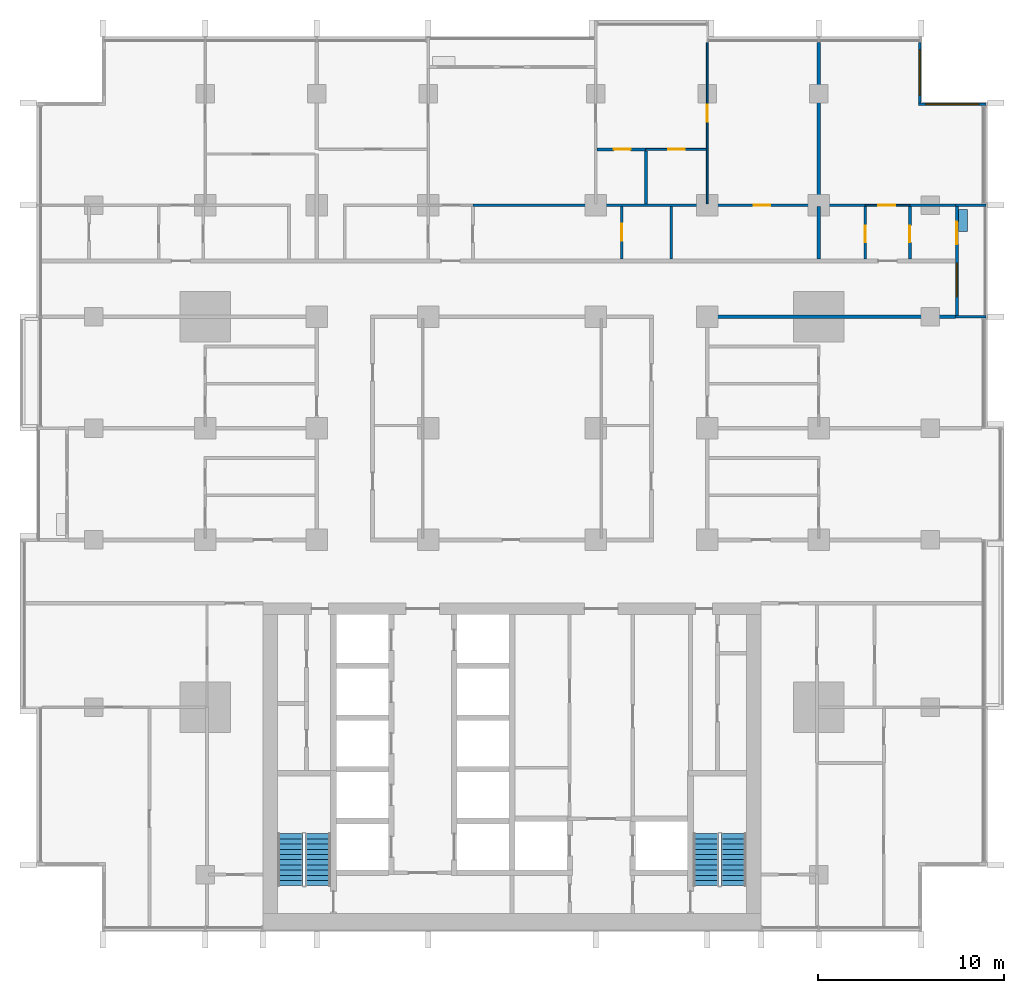
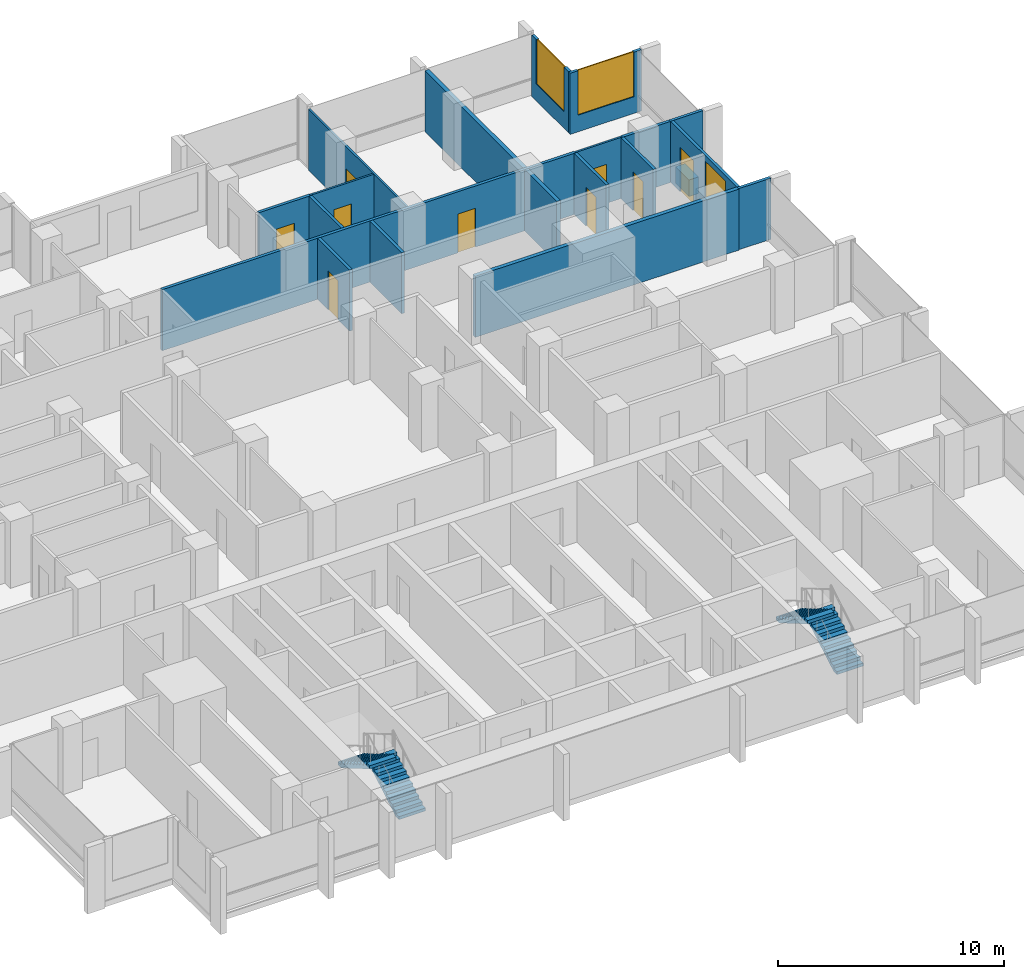
# One storey, part 12 of 17: 20 walls, 9 doors, 4 stair flights, 3 windows, 12 openings, 2 elements without a shape of their own.
"""IFC4 building model written with IfcOpenShell, lengths in metres."""

from ifc_helpers import new_model, si_unit, direction, frame, frame_2d, origin, place, context, subcontext, project, spatial, polyline, rectangle, outline, extrude, material, layer, layer_set, type_object, element, fill, aggregate, save


model = new_model("IFC4")

# Units and contexts
model_context = context("Model", 3, precision=1e-05, world=origin(), true_north=direction((0.0, 1.0)))
body_context = subcontext(model_context, "Body", "Model", "MODEL_VIEW")
ifc_project = project(units=[si_unit("LENGTHUNIT", "METRE"), si_unit("AREAUNIT", "SQUARE_METRE"), si_unit("VOLUMEUNIT", "CUBIC_METRE"), si_unit("PLANEANGLEUNIT", "RADIAN"), si_unit("MASSUNIT", "GRAM", prefix="KILO")], contexts=[model_context])

# Site, building, storey
site_placement = place(None, origin())
site = spatial("IfcSite", under=ifc_project, at=site_placement, CompositionType="ELEMENT")
building_placement = place(site_placement, origin())
building = spatial("IfcBuilding", under=site, at=building_placement, Name="Finial Court Residences", CompositionType="ELEMENT")
storey_placement = place(building_placement, frame((0.0, 0.0, 99.10009765625)))
storey = spatial("IfcBuildingStorey", under=building, at=storey_placement, Name="L24", CompositionType="ELEMENT", Elevation=99.10009765625)

# Walls
ifc_material_1 = material(Name="Gypsum board")
ifc_layer_1 = layer(ifc_material_1, 0.02490234375)
ifc_material_2 = material(Name="Acoustic mineral wool in double frame")
ifc_layer_2 = layer(ifc_material_2, 0.14990234375)
ifc_layer_3 = layer(ifc_material_1, 0.02490234375)
ifc_layer_set_1 = layer_set([ifc_layer_1, ifc_layer_2, ifc_layer_3], Name="Acoustic party wall 200, 1 hour")
wall_type_1 = type_object("IfcWallType", Name="Acoustic party wall 200, 1 hour", PredefinedType="PARTITIONING", material=ifc_layer_set_1)
wall_1_placement = place(storey_placement, frame((16.5, 10.60009765625, 0.0), z_axis=(0.0, 0.0, 1.0), x_axis=(0.0, 1.0, 0.0)))
element("IfcWall", 1, at=wall_1_placement, inside=storey, type_object=wall_type_1, Name="Partition L24-076", PredefinedType="PARTITIONING", context=body_context, shape_type="SweptSolid", body=[
    extrude(rectangle(XDim=2.824951171875, YDim=0.199951171875, at=frame_2d((1.41259765625, 0.0))), origin(), (0.0, 0.0, 1.0), 3.2998046875),
])
wall_2_placement = place(storey_placement, frame((16.5, 13.574951171875, 0.0), z_axis=(0.0, 0.0, 1.0), x_axis=(0.0, 1.0, 0.0)))
element("IfcWall", 2, at=wall_2_placement, inside=storey, type_object=wall_type_1, Name="Partition L24-077", PredefinedType="PARTITIONING", context=body_context, shape_type="SweptSolid", body=[
    extrude(rectangle(XDim=8.675048828125, YDim=0.199951171875, at=frame_2d((4.33740234375, 0.0))), origin(), (0.0, 0.0, 1.0), 3.2998046875),
])
ifc_layer_4 = layer(ifc_material_1, 0.02490234375)
ifc_layer_5 = layer(ifc_material_2, 0.14990234375)
ifc_layer_6 = layer(ifc_material_1, 0.02490234375)
ifc_layer_set_2 = layer_set([ifc_layer_4, ifc_layer_5, ifc_layer_6], Name="Corridor wall 200, 1 hour")
wall_type_2 = type_object("IfcWallType", Name="Corridor wall 200, 1 hour", PredefinedType="PARTITIONING", material=ifc_layer_set_2)
wall_3_placement = place(storey_placement, frame((10.39990234375, 7.5, 0.0), z_axis=(0.0, 0.0, 1.0), x_axis=(1.0, 0.0, 0.0)))
element("IfcWall", 3, at=wall_3_placement, inside=storey, type_object=wall_type_2, Name="Partition L24-026", PredefinedType="PARTITIONING", context=body_context, shape_type="SweptSolid", body=[
    extrude(rectangle(XDim=13.4501953125, YDim=0.199951171875, at=frame_2d((6.72509765625, 0.0))), origin(), (0.0, 0.0, 1.0), 3.2998046875),
])

# Wall, opening, door
ifc_layer_7 = layer(ifc_material_1, 0.012451171875)
ifc_material_3 = material(Name="Mineral wool in light-gauge frame")
ifc_layer_8 = layer(ifc_material_3, 0.074951171875)
ifc_layer_9 = layer(ifc_material_1, 0.012451171875)
ifc_layer_set_3 = layer_set([ifc_layer_7, ifc_layer_8, ifc_layer_9], Name="Gypsum board partition 100")
wall_type_3 = type_object("IfcWallType", Name="Gypsum board partition 100", PredefinedType="PARTITIONING", material=ifc_layer_set_3)
wall_4_placement = place(storey_placement, frame((19.0, 13.5, 0.0), z_axis=(0.0, 0.0, 1.0), x_axis=(1.0, 0.0, 0.0)))
wall_4 = element("IfcWall", 4, at=wall_4_placement, inside=storey, type_object=wall_type_3, Name="Partition L24-031", PredefinedType="PARTITIONING", context=body_context, shape_type="SweptSolid", body=[
    extrude(rectangle(XDim=2.39990234375, YDim=0.10009765625, at=frame_2d((1.199951171875, 0.0))), origin(), (0.0, 0.0, 1.0), 3.2998046875),
])
opening_1_placement = place(wall_4_placement, frame((0.699951171875, 0.0, 0.0)))
opening_1 = element("IfcOpeningElement", 5, at=opening_1_placement, cuts=wall_4, Name="Opening L24-D015", PredefinedType="OPENING", context=body_context, shape_type="SweptSolid", body=[
    extrude(rectangle(XDim=0.89990234375, YDim=2.10009765625, at=frame_2d((0.449951171875, 1.050048828125))), frame((0.0, 0.06005859375, 0.0), z_axis=(0.0, -1.0, 0.0), x_axis=(1.0, 0.0, 0.0)), (0.0, 0.0, 1.0), 0.1201171875),
])
ifc_material_4 = material(Name="Timber door leaf in timber frame", Category="wood")
door_type_1 = type_object("IfcDoorType", Name="Door set 900 x 2100", OperationType="SINGLE_SWING_LEFT", PredefinedType="DOOR", material=ifc_material_4)
door_1_placement = place(opening_1_placement, origin())
door_1 = element("IfcDoor", 6, at=door_1_placement, inside=storey, type_object=door_type_1, Name="Door L24-D015", OperationType="SINGLE_SWING_LEFT", OverallHeight=2.10009765625, OverallWidth=0.89990234375, PredefinedType="DOOR", context=body_context, shape_type="SweptSolid", body=[
    extrude(rectangle(XDim=0.89990234375, YDim=2.10009765625, at=frame_2d((0.449951171875, 1.050048828125))), frame((0.0, 0.02490234375, 0.0), z_axis=(0.0, -1.0, 0.0), x_axis=(1.0, 0.0, 0.0)), (0.0, 0.0, 1.0), 0.050048828125),
])
fill(opening_1, door_1)

wall_5_placement = place(storey_placement, frame((7.199951171875, 16.5, 0.0), z_axis=(0.0, 0.0, 1.0), x_axis=(1.0, 0.0, 0.0)))
wall_5 = element("IfcWall", 7, at=wall_5_placement, inside=storey, type_object=wall_type_3, Name="Partition L24-039", PredefinedType="PARTITIONING", context=body_context, shape_type="SweptSolid", body=[
    extrude(rectangle(XDim=3.25, YDim=0.10009765625, at=frame_2d((1.625, 0.0))), origin(), (0.0, 0.0, 1.0), 3.2998046875),
])
opening_2_placement = place(wall_5_placement, frame((1.199951171875, 0.0, 0.0)))
opening_2 = element("IfcOpeningElement", 8, at=opening_2_placement, cuts=wall_5, Name="Opening L24-D019", PredefinedType="OPENING", context=body_context, shape_type="SweptSolid", body=[
    extrude(rectangle(XDim=0.89990234375, YDim=2.10009765625, at=frame_2d((0.449951171875, 1.050048828125))), frame((0.0, 0.06005859375, 0.0), z_axis=(0.0, -1.0, 0.0), x_axis=(1.0, 0.0, 0.0)), (0.0, 0.0, 1.0), 0.1201171875),
])
door_2_placement = place(opening_2_placement, origin())
door_2 = element("IfcDoor", 9, at=door_2_placement, inside=storey, type_object=door_type_1, Name="Door L24-D019", OperationType="SINGLE_SWING_RIGHT", OverallHeight=2.10009765625, OverallWidth=0.89990234375, PredefinedType="DOOR", context=body_context, shape_type="SweptSolid", body=[
    extrude(rectangle(XDim=0.89990234375, YDim=2.10009765625, at=frame_2d((0.449951171875, 1.050048828125))), frame((0.0, 0.02490234375, 0.0), z_axis=(0.0, -1.0, 0.0), x_axis=(1.0, 0.0, 0.0)), (0.0, 0.0, 1.0), 0.050048828125),
])
fill(opening_2, door_2)

wall_6_placement = place(storey_placement, frame((10.5, 13.574951171875, 0.0), z_axis=(0.0, 0.0, 1.0), x_axis=(0.0, 1.0, 0.0)))
wall_6 = element("IfcWall", 10, at=wall_6_placement, inside=storey, type_object=wall_type_3, Name="Partition L24-070", PredefinedType="PARTITIONING", context=body_context, shape_type="SweptSolid", body=[
    extrude(rectangle(XDim=8.675048828125, YDim=0.10009765625, at=frame_2d((4.33740234375, 0.0))), origin(), (0.0, 0.0, 1.0), 3.2998046875),
])
opening_3_placement = place(wall_6_placement, frame((4.425048828125, 0.0, 0.0)))
opening_3 = element("IfcOpeningElement", 11, at=opening_3_placement, cuts=wall_6, Name="Opening L24-D042", PredefinedType="OPENING", context=body_context, shape_type="SweptSolid", body=[
    extrude(rectangle(XDim=0.89990234375, YDim=2.10009765625, at=frame_2d((0.449951171875, 1.050048828125))), frame((0.0, 0.06005859375, 0.0), z_axis=(0.0, -1.0, 0.0), x_axis=(1.0, 0.0, 0.0)), (0.0, 0.0, 1.0), 0.1201171875),
])
door_3_placement = place(opening_3_placement, origin())
door_3 = element("IfcDoor", 12, at=door_3_placement, inside=storey, type_object=door_type_1, Name="Door L24-D042", OperationType="SINGLE_SWING_RIGHT", OverallHeight=2.10009765625, OverallWidth=0.89990234375, PredefinedType="DOOR", context=body_context, shape_type="SweptSolid", body=[
    extrude(rectangle(XDim=0.89990234375, YDim=2.10009765625, at=frame_2d((0.449951171875, 1.050048828125))), frame((0.0, 0.02490234375, 0.0), z_axis=(0.0, -1.0, 0.0), x_axis=(1.0, 0.0, 0.0)), (0.0, 0.0, 1.0), 0.050048828125),
])
fill(opening_3, door_3)

ifc_material_5 = material(Name="Moisture-resistant gypsum board")
ifc_layer_10 = layer(ifc_material_5, 0.012451171875)
ifc_layer_11 = layer(ifc_material_3, 0.125)
ifc_layer_12 = layer(ifc_material_5, 0.012451171875)
ifc_layer_set_4 = layer_set([ifc_layer_10, ifc_layer_11, ifc_layer_12], Name="Gypsum board wet-area partition 150")
wall_type_4 = type_object("IfcWallType", Name="Gypsum board wet-area partition 150", PredefinedType="PARTITIONING", material=ifc_layer_set_4)
wall_7_placement = place(storey_placement, frame((-2.10009765625, 13.5, 0.0), z_axis=(0.0, 0.0, 1.0), x_axis=(1.0, 0.0, 0.0)))
wall_7 = element("IfcWall", 13, at=wall_7_placement, inside=storey, type_object=wall_type_4, Name="Partition L24-035", PredefinedType="PARTITIONING", context=body_context, shape_type="SweptSolid", body=[
    extrude(rectangle(XDim=21.10009765625, YDim=0.14990234375, at=frame_2d((10.550048828125, 0.0))), origin(), (0.0, 0.0, 1.0), 3.2998046875),
])
opening_4_placement = place(wall_7_placement, frame((15.10009765625, 0.0, 0.0)))
opening_4 = element("IfcOpeningElement", 14, at=opening_4_placement, cuts=wall_7, Name="Opening L24-D016", PredefinedType="OPENING", context=body_context, shape_type="SweptSolid", body=[
    extrude(rectangle(XDim=0.89990234375, YDim=2.10009765625, at=frame_2d((0.449951171875, 1.050048828125))), frame((0.0, 0.0849609375, 0.0), z_axis=(0.0, -1.0, 0.0), x_axis=(1.0, 0.0, 0.0)), (0.0, 0.0, 1.0), 0.169921875),
])
door_4_placement = place(opening_4_placement, origin())
door_4 = element("IfcDoor", 15, at=door_4_placement, inside=storey, type_object=door_type_1, Name="Door L24-D016", OperationType="SINGLE_SWING_RIGHT", OverallHeight=2.10009765625, OverallWidth=0.89990234375, PredefinedType="DOOR", context=body_context, shape_type="SweptSolid", body=[
    extrude(rectangle(XDim=0.89990234375, YDim=2.10009765625, at=frame_2d((0.449951171875, 1.050048828125))), frame((0.0, 0.02490234375, 0.0), z_axis=(0.0, -1.0, 0.0), x_axis=(1.0, 0.0, 0.0)), (0.0, 0.0, 1.0), 0.050048828125),
])
fill(opening_4, door_4)

# Wall
wall_8_placement = place(storey_placement, frame((21.39990234375, 13.5, 0.0), z_axis=(0.0, 0.0, 1.0), x_axis=(1.0, 0.0, 0.0)))
element("IfcWall", 16, at=wall_8_placement, inside=storey, type_object=wall_type_4, Name="Partition L24-036", PredefinedType="PARTITIONING", context=body_context, shape_type="SweptSolid", body=[
    extrude(rectangle(XDim=2.4501953125, YDim=0.14990234375, at=frame_2d((1.22509765625, 0.0))), origin(), (0.0, 0.0, 1.0), 3.2998046875),
])

# Wall, opening, door
wall_9_placement = place(storey_placement, frame((4.574951171875, 16.5, 0.0), z_axis=(0.0, 0.0, 1.0), x_axis=(1.0, 0.0, 0.0)))
wall_9 = element("IfcWall", 17, at=wall_9_placement, inside=storey, type_object=wall_type_4, Name="Partition L24-040", PredefinedType="PARTITIONING", context=body_context, shape_type="SweptSolid", body=[
    extrude(rectangle(XDim=2.625, YDim=0.14990234375, at=frame_2d((1.3125, 0.0))), origin(), (0.0, 0.0, 1.0), 3.2998046875),
])
opening_5_placement = place(wall_9_placement, frame((0.89990234375, 0.0, 0.0)))
opening_5 = element("IfcOpeningElement", 18, at=opening_5_placement, cuts=wall_9, Name="Opening L24-D020", PredefinedType="OPENING", context=body_context, shape_type="SweptSolid", body=[
    extrude(rectangle(XDim=0.89990234375, YDim=2.10009765625, at=frame_2d((0.449951171875, 1.050048828125))), frame((0.0, 0.0849609375, 0.0), z_axis=(0.0, -1.0, 0.0), x_axis=(1.0, 0.0, 0.0)), (0.0, 0.0, 1.0), 0.169921875),
])
door_5_placement = place(opening_5_placement, origin())
door_5 = element("IfcDoor", 19, at=door_5_placement, inside=storey, type_object=door_type_1, Name="Door L24-D020", OperationType="SINGLE_SWING_RIGHT", OverallHeight=2.10009765625, OverallWidth=0.89990234375, PredefinedType="DOOR", context=body_context, shape_type="SweptSolid", body=[
    extrude(rectangle(XDim=0.89990234375, YDim=2.10009765625, at=frame_2d((0.449951171875, 1.050048828125))), frame((0.0, 0.02490234375, 0.0), z_axis=(0.0, -1.0, 0.0), x_axis=(1.0, 0.0, 0.0)), (0.0, 0.0, 1.0), 0.050048828125),
])
fill(opening_5, door_5)

wall_10_placement = place(storey_placement, frame((5.89990234375, 10.60009765625, 0.0), z_axis=(0.0, 0.0, 1.0), x_axis=(0.0, 1.0, 0.0)))
wall_10 = element("IfcWall", 20, at=wall_10_placement, inside=storey, type_object=wall_type_4, Name="Partition L24-065", PredefinedType="PARTITIONING", context=body_context, shape_type="SweptSolid", body=[
    extrude(rectangle(XDim=2.824951171875, YDim=0.14990234375, at=frame_2d((1.41259765625, 0.0))), origin(), (0.0, 0.0, 1.0), 3.2998046875),
])
opening_6_placement = place(wall_10_placement, frame((1.0, 0.0, 0.0)))
opening_6 = element("IfcOpeningElement", 21, at=opening_6_placement, cuts=wall_10, Name="Opening L24-D038", PredefinedType="OPENING", context=body_context, shape_type="SweptSolid", body=[
    extrude(rectangle(XDim=0.89990234375, YDim=2.10009765625, at=frame_2d((0.449951171875, 1.050048828125))), frame((0.0, 0.0849609375, 0.0), z_axis=(0.0, -1.0, 0.0), x_axis=(1.0, 0.0, 0.0)), (0.0, 0.0, 1.0), 0.169921875),
])
door_6_placement = place(opening_6_placement, origin())
door_6 = element("IfcDoor", 22, at=door_6_placement, inside=storey, type_object=door_type_1, Name="Door L24-D038", OperationType="SINGLE_SWING_RIGHT", OverallHeight=2.10009765625, OverallWidth=0.89990234375, PredefinedType="DOOR", context=body_context, shape_type="SweptSolid", body=[
    extrude(rectangle(XDim=0.89990234375, YDim=2.10009765625, at=frame_2d((0.449951171875, 1.050048828125))), frame((0.0, 0.02490234375, 0.0), z_axis=(0.0, -1.0, 0.0), x_axis=(1.0, 0.0, 0.0)), (0.0, 0.0, 1.0), 0.050048828125),
])
fill(opening_6, door_6)

# Walls
wall_11_placement = place(storey_placement, frame((7.199951171875, 13.574951171875, 0.0), z_axis=(0.0, 0.0, 1.0), x_axis=(0.0, 1.0, 0.0)))
element("IfcWall", 23, at=wall_11_placement, inside=storey, type_object=wall_type_4, Name="Partition L24-066", PredefinedType="PARTITIONING", context=body_context, shape_type="SweptSolid", body=[
    extrude(rectangle(XDim=2.85009765625, YDim=0.14990234375, at=frame_2d((1.425048828125, 0.0))), origin(), (0.0, 0.0, 1.0), 3.2998046875),
])
wall_12_placement = place(storey_placement, frame((8.56689453125, 10.60009765625, 0.0), z_axis=(0.0, 0.0, 1.0), x_axis=(0.0, 1.0, 0.0)))
element("IfcWall", 24, at=wall_12_placement, inside=storey, type_object=wall_type_4, Name="Partition L24-068", PredefinedType="PARTITIONING", context=body_context, shape_type="SweptSolid", body=[
    extrude(rectangle(XDim=2.824951171875, YDim=0.14990234375, at=frame_2d((1.41259765625, 0.0))), origin(), (0.0, 0.0, 1.0), 3.2998046875),
])

# Wall, opening, door
wall_13_placement = place(storey_placement, frame((19.0, 10.60009765625, 0.0), z_axis=(0.0, 0.0, 1.0), x_axis=(0.0, 1.0, 0.0)))
wall_13 = element("IfcWall", 25, at=wall_13_placement, inside=storey, type_object=wall_type_4, Name="Partition L24-080", PredefinedType="PARTITIONING", context=body_context, shape_type="SweptSolid", body=[
    extrude(rectangle(XDim=2.824951171875, YDim=0.14990234375, at=frame_2d((1.41259765625, 0.0))), origin(), (0.0, 0.0, 1.0), 3.2998046875),
])
opening_7_placement = place(wall_13_placement, frame((0.89990234375, 0.0, 0.0)))
opening_7 = element("IfcOpeningElement", 26, at=opening_7_placement, cuts=wall_13, Name="Opening L24-D048", PredefinedType="OPENING", context=body_context, shape_type="SweptSolid", body=[
    extrude(rectangle(XDim=0.89990234375, YDim=2.10009765625, at=frame_2d((0.449951171875, 1.050048828125))), frame((0.0, 0.0849609375, 0.0), z_axis=(0.0, -1.0, 0.0), x_axis=(1.0, 0.0, 0.0)), (0.0, 0.0, 1.0), 0.169921875),
])
door_7_placement = place(opening_7_placement, origin())
door_7 = element("IfcDoor", 27, at=door_7_placement, inside=storey, type_object=door_type_1, Name="Door L24-D048", OperationType="SINGLE_SWING_LEFT", OverallHeight=2.10009765625, OverallWidth=0.89990234375, PredefinedType="DOOR", context=body_context, shape_type="SweptSolid", body=[
    extrude(rectangle(XDim=0.89990234375, YDim=2.10009765625, at=frame_2d((0.449951171875, 1.050048828125))), frame((0.0, 0.02490234375, 0.0), z_axis=(0.0, -1.0, 0.0), x_axis=(1.0, 0.0, 0.0)), (0.0, 0.0, 1.0), 0.050048828125),
])
fill(opening_7, door_7)

wall_14_placement = place(storey_placement, frame((21.39990234375, 10.60009765625, 0.0), z_axis=(0.0, 0.0, 1.0), x_axis=(0.0, 1.0, 0.0)))
wall_14 = element("IfcWall", 28, at=wall_14_placement, inside=storey, type_object=wall_type_4, Name="Partition L24-084", PredefinedType="PARTITIONING", context=body_context, shape_type="SweptSolid", body=[
    extrude(rectangle(XDim=2.824951171875, YDim=0.14990234375, at=frame_2d((1.41259765625, 0.0))), origin(), (0.0, 0.0, 1.0), 3.2998046875),
])
opening_8_placement = place(wall_14_placement, frame((0.89990234375, 0.0, 0.0)))
opening_8 = element("IfcOpeningElement", 29, at=opening_8_placement, cuts=wall_14, Name="Opening L24-D052", PredefinedType="OPENING", context=body_context, shape_type="SweptSolid", body=[
    extrude(rectangle(XDim=0.89990234375, YDim=2.10009765625, at=frame_2d((0.449951171875, 1.050048828125))), frame((0.0, 0.0849609375, 0.0), z_axis=(0.0, -1.0, 0.0), x_axis=(1.0, 0.0, 0.0)), (0.0, 0.0, 1.0), 0.169921875),
])
door_8_placement = place(opening_8_placement, origin())
door_8 = element("IfcDoor", 30, at=door_8_placement, inside=storey, type_object=door_type_1, Name="Door L24-D052", OperationType="SINGLE_SWING_RIGHT", OverallHeight=2.10009765625, OverallWidth=0.89990234375, PredefinedType="DOOR", context=body_context, shape_type="SweptSolid", body=[
    extrude(rectangle(XDim=0.89990234375, YDim=2.10009765625, at=frame_2d((0.449951171875, 1.050048828125))), frame((0.0, 0.02490234375, 0.0), z_axis=(0.0, -1.0, 0.0), x_axis=(1.0, 0.0, 0.0)), (0.0, 0.0, 1.0), 0.050048828125),
])
fill(opening_8, door_8)

# Wall, opening, window
ifc_material_6 = material(Name="Natural limestone", Category="masonry")
ifc_layer_13 = layer(ifc_material_6, 0.14990234375)
ifc_layer_set_5 = layer_set([ifc_layer_13], Name="Limestone clad wall 150")
wall_type_5 = type_object("IfcWallType", Name="Limestone clad wall 150", PredefinedType="SOLIDWALL", material=ifc_layer_set_5)
wall_15_placement = place(storey_placement, frame((21.925048828125, 22.25, 0.0), z_axis=(0.0, 0.0, 1.0), x_axis=(0.0, -1.0, 0.0)))
wall_15 = element("IfcWall", 31, at=wall_15_placement, inside=storey, type_object=wall_type_5, Name="E-L24-NWE19", PredefinedType="SOLIDWALL", context=body_context, shape_type="SweptSolid", body=[
    extrude(rectangle(XDim=3.25, YDim=0.14990234375, at=frame_2d((1.625, 0.0))), origin(), (0.0, 0.0, 1.0), 3.2998046875),
])
opening_9_placement = place(wall_15_placement, frame((0.39990234375, 0.0, 0.89990234375)))
opening_9 = element("IfcOpeningElement", 32, at=opening_9_placement, cuts=wall_15, Name="Opening WE24-07", PredefinedType="OPENING", context=body_context, shape_type="SweptSolid", body=[
    extrude(rectangle(XDim=2.449951171875, YDim=2.39990234375, at=frame_2d((1.22509765625, 1.199951171875))), frame((0.0, 0.0849609375, 0.0), z_axis=(0.0, -1.0, 0.0), x_axis=(1.0, 0.0, 0.0)), (0.0, 0.0, 1.0), 0.169921875),
])
ifc_material_7 = material(Name="Clear low-e glass", Category="glass")
window_type_1 = type_object("IfcWindowType", Name="Corner window 2450 x 2400", PartitioningType="SINGLE_PANEL", PredefinedType="WINDOW", material=ifc_material_7)
window_1_placement = place(opening_9_placement, origin())
window_1 = element("IfcWindow", 33, at=window_1_placement, inside=storey, type_object=window_type_1, Name="E-L24-NWE19-W1", OverallHeight=2.39990234375, OverallWidth=2.449951171875, PartitioningType="SINGLE_PANEL", PredefinedType="WINDOW", context=body_context, shape_type="SweptSolid", body=[
    extrude(rectangle(XDim=2.449951171875, YDim=2.39990234375, at=frame_2d((1.22509765625, 1.199951171875))), frame((0.0, 0.030029296875, 0.0), z_axis=(0.0, -1.0, 0.0), x_axis=(1.0, 0.0, 0.0)), (0.0, 0.0, 1.0), 0.06005859375),
])
fill(opening_9, window_1)

wall_16_placement = place(storey_placement, frame((21.85009765625, 18.925048828125, 0.0), z_axis=(0.0, 0.0, 1.0), x_axis=(1.0, 0.0, 0.0)))
wall_16 = element("IfcWall", 34, at=wall_16_placement, inside=storey, type_object=wall_type_5, Name="E-L24-NWN20", PredefinedType="SOLIDWALL", context=body_context, shape_type="SweptSolid", body=[
    extrude(rectangle(XDim=3.64990234375, YDim=0.14990234375, at=frame_2d((1.824951171875, 0.0))), origin(), (0.0, 0.0, 1.0), 3.2998046875),
])
opening_10_placement = place(wall_16_placement, frame((0.39990234375, 0.0, 0.89990234375)))
opening_10 = element("IfcOpeningElement", 35, at=opening_10_placement, cuts=wall_16, Name="Opening WE24-08", PredefinedType="OPENING", context=body_context, shape_type="SweptSolid", body=[
    extrude(rectangle(XDim=2.85009765625, YDim=2.39990234375, at=frame_2d((1.425048828125, 1.199951171875))), frame((0.0, 0.0849609375, 0.0), z_axis=(0.0, -1.0, 0.0), x_axis=(1.0, 0.0, 0.0)), (0.0, 0.0, 1.0), 0.169921875),
])
window_type_2 = type_object("IfcWindowType", Name="Corner window 2850 x 2400", PartitioningType="SINGLE_PANEL", PredefinedType="WINDOW", material=ifc_material_7)
window_2_placement = place(opening_10_placement, origin())
window_2 = element("IfcWindow", 36, at=window_2_placement, inside=storey, type_object=window_type_2, Name="E-L24-NWN20-W1", OverallHeight=2.39990234375, OverallWidth=2.85009765625, PartitioningType="SINGLE_PANEL", PredefinedType="WINDOW", context=body_context, shape_type="SweptSolid", body=[
    extrude(rectangle(XDim=2.85009765625, YDim=2.39990234375, at=frame_2d((1.425048828125, 1.199951171875))), frame((0.0, 0.030029296875, 0.0), z_axis=(0.0, -1.0, 0.0), x_axis=(1.0, 0.0, 0.0)), (0.0, 0.0, 1.0), 0.06005859375),
])
fill(opening_10, window_2)

# Walls
for number, where, z_axis, x_axis, name in (
    (37, (23.85009765625, 7.5, 0.0), (0.0, 0.0, 1.0), (1.0, 0.0, 0.0), "E-L24-BALE5-P1"),
    (38, (23.85009765625, 13.5, 0.0), (0.0, 0.0, 1.0), (1.0, 0.0, 0.0), "E-L24-BALE5-P2"),
):
    element("IfcWall", number, at=place(storey_placement, frame(where, z_axis=z_axis, x_axis=x_axis)), inside=storey, type_object=wall_type_5, Name=name, PredefinedType="SOLIDWALL", context=body_context, shape_type="SweptSolid", body=[
        extrude(rectangle(XDim=1.64990234375, YDim=0.14990234375, at=frame_2d((0.824951171875, 0.0))), origin(), (0.0, 0.0, 1.0), 3.2998046875),
    ])

# Wall, openings, door, window
wall_17_placement = place(storey_placement, frame((23.925048828125, 13.425048828125, 0.0), z_axis=(0.0, 0.0, 1.0), x_axis=(0.0, -1.0, 0.0)))
wall_17 = element("IfcWall", 39, at=wall_17_placement, inside=storey, type_object=wall_type_5, Name="E-L24-L24-BALE5-W", PredefinedType="SOLIDWALL", context=body_context, shape_type="SweptSolid", body=[
    extrude(rectangle(XDim=5.85009765625, YDim=0.14990234375, at=frame_2d((2.925048828125, 0.0))), origin(), (0.0, 0.0, 1.0), 3.2998046875),
])
opening_11_placement = place(wall_17_placement, frame((0.824951171875, 0.0, 0.0)))
opening_11 = element("IfcOpeningElement", 40, at=opening_11_placement, cuts=wall_17, Name="Opening DE24-02", PredefinedType="OPENING", context=body_context, shape_type="SweptSolid", body=[
    extrude(rectangle(XDim=1.199951171875, YDim=2.39990234375, at=frame_2d((0.60009765625, 1.199951171875))), frame((0.0, 0.0849609375, 0.0), z_axis=(0.0, -1.0, 0.0), x_axis=(1.0, 0.0, 0.0)), (0.0, 0.0, 1.0), 0.169921875),
])
opening_12_placement = place(wall_17_placement, frame((3.03759765625, 0.0, 0.89990234375)))
opening_12 = element("IfcOpeningElement", 41, at=opening_12_placement, cuts=wall_17, Name="Opening WE24-11", PredefinedType="OPENING", context=body_context, shape_type="SweptSolid", body=[
    extrude(rectangle(XDim=1.800048828125, YDim=2.10009765625, at=frame_2d((0.89990234375, 1.050048828125))), frame((0.0, 0.0849609375, 0.0), z_axis=(0.0, -1.0, 0.0), x_axis=(1.0, 0.0, 0.0)), (0.0, 0.0, 1.0), 0.169921875),
])
ifc_material_8 = material(Name="Bronze anodised aluminium", Category="aluminium")
door_type_2 = type_object("IfcDoorType", Name="Balcony door 1200 x 2400", OperationType="SINGLE_SWING_LEFT", PredefinedType="DOOR", material=ifc_material_8)
door_9_placement = place(opening_11_placement, origin())
door_9 = element("IfcDoor", 42, at=door_9_placement, inside=storey, type_object=door_type_2, Name="E-L24-L24-BALE5-W-D", OperationType="SINGLE_SWING_LEFT", OverallHeight=2.39990234375, OverallWidth=1.199951171875, PredefinedType="DOOR", context=body_context, shape_type="SweptSolid", body=[
    extrude(rectangle(XDim=1.199951171875, YDim=2.39990234375, at=frame_2d((0.60009765625, 1.199951171875))), frame((0.0, 0.02490234375, 0.0), z_axis=(0.0, -1.0, 0.0), x_axis=(1.0, 0.0, 0.0)), (0.0, 0.0, 1.0), 0.050048828125),
])
fill(opening_11, door_9)
window_type_3 = type_object("IfcWindowType", Name="Balcony window 1800 x 2100", PartitioningType="SINGLE_PANEL", PredefinedType="WINDOW", material=ifc_material_7)
window_3_placement = place(opening_12_placement, origin())
window_3 = element("IfcWindow", 43, at=window_3_placement, inside=storey, type_object=window_type_3, Name="E-L24-L24-BALE5-W-W1", OverallHeight=2.10009765625, OverallWidth=1.800048828125, PartitioningType="SINGLE_PANEL", PredefinedType="WINDOW", context=body_context, shape_type="SweptSolid", body=[
    extrude(rectangle(XDim=1.800048828125, YDim=2.10009765625, at=frame_2d((0.89990234375, 1.050048828125))), frame((0.0, 0.030029296875, 0.0), z_axis=(0.0, -1.0, 0.0), x_axis=(1.0, 0.0, 0.0)), (0.0, 0.0, 1.0), 0.06005859375),
])
fill(opening_12, window_3)

# Wall
ifc_material_9 = material(Name="Concrete C40/50", Category="concrete")
ifc_layer_14 = layer(ifc_material_9, 0.10009765625)
ifc_material_10 = material(Name="Planting soil", Category="soil")
ifc_layer_15 = layer(ifc_material_10, 0.300048828125)
ifc_layer_16 = layer(ifc_material_9, 0.10009765625)
ifc_layer_set_6 = layer_set([ifc_layer_14, ifc_layer_15, ifc_layer_16], Name="Planter wall, balcony")
wall_type_6 = type_object("IfcWallType", Name="Planter wall, balcony", PredefinedType="USERDEFINED", material=ifc_layer_set_6)
wall_18_placement = place(storey_placement, frame((24.25, 12.074951171875, 0.0), z_axis=(0.0, 0.0, 1.0), x_axis=(0.0, 1.0, 0.0)))
element("IfcWall", 44, at=wall_18_placement, inside=storey, type_object=wall_type_6, Name="E-L24-BALE5-PL", ObjectType="PLANTER", PredefinedType="USERDEFINED", context=body_context, shape_type="SweptSolid", body=[
    extrude(rectangle(XDim=1.199951171875, YDim=0.5, at=frame_2d((0.60009765625, 0.0))), origin(), (0.0, 0.0, 1.0), 0.89990234375),
])

# Stair, stair flights
ifc_material_11 = material(Name="Concrete C50/60", Category="concrete")
stair_type = type_object("IfcStairType", Name="Exit stair 22 risers of 163.6 mm", PredefinedType="HALF_TURN_STAIR", material=ifc_material_11)
stair_1_placement = place(storey_placement, origin())
stair_1 = element("IfcStair", 45, at=stair_1_placement, inside=storey, type_object=stair_type, Name="L24 Exit stair ST-1", PredefinedType="HALF_TURN_STAIR")
stair_flight_type = type_object("IfcStairFlightType", Name="Exit stair flight", PredefinedType="STRAIGHT", material=ifc_material_11)
stair_flight_1_placement = place(storey_placement, frame((-10.425048828125, -23.10009765625, 0.0), z_axis=(0.0, 0.0, 1.0), x_axis=(0.0, 1.0, 0.0)))
stair_flight_1 = element("IfcStairFlight", 46, at=stair_flight_1_placement, type_object=stair_flight_type, Name="ST-1 flight 1", NumberOfRisers=11, NumberOfTreads=10, PredefinedType="STRAIGHT", RiserHeight=0.163636364, TreadLength=0.28, context=body_context, shape_type="SweptSolid", body=[
    extrude(outline(polyline([(0.0, 0.0), (0.0, 0.16357421875), (0.280029296875, 0.16357421875), (0.280029296875, 0.327392578125), (0.56005859375, 0.327392578125), (0.56005859375, 0.490966796875), (0.840087890625, 0.490966796875), (0.840087890625, 0.654541015625), (1.1201171875, 0.654541015625), (1.1201171875, 0.818115234375), (1.39990234375, 0.818115234375), (1.39990234375, 0.98193359375), (1.679931640625, 0.98193359375), (1.679931640625, 1.1455078125), (1.9599609375, 1.1455078125), (1.9599609375, 1.30908203125), (2.239990234375, 1.30908203125), (2.239990234375, 1.47265625), (2.52001953125, 1.47265625), (2.52001953125, 1.636474609375), (2.800048828125, 1.636474609375), (2.800048828125, 1.800048828125), (2.800048828125, 1.462646484375), (0.297119140625, 0.0), (0.0, 0.0)])), frame((0.0, 0.675048828125, 0.0), z_axis=(0.0, -1.0, 0.0), x_axis=(1.0, 0.0, 0.0)), (0.0, 0.0, 1.0), 1.35009765625),
])
stair_flight_2_placement = place(storey_placement, frame((-11.925048828125, -20.300048828125, 1.7998046875), z_axis=(0.0, 0.0, 1.0), x_axis=(0.0, -1.0, 0.0)))
stair_flight_2 = element("IfcStairFlight", 47, at=stair_flight_2_placement, type_object=stair_flight_type, Name="ST-1 flight 2", NumberOfRisers=11, NumberOfTreads=10, PredefinedType="STRAIGHT", RiserHeight=0.163636364, TreadLength=0.28, context=body_context, shape_type="SweptSolid", body=[
    extrude(outline(polyline([(0.0, 0.0), (0.0, 0.16357421875), (0.280029296875, 0.16357421875), (0.280029296875, 0.327392578125), (0.56005859375, 0.327392578125), (0.56005859375, 0.490966796875), (0.840087890625, 0.490966796875), (0.840087890625, 0.654541015625), (1.1201171875, 0.654541015625), (1.1201171875, 0.818115234375), (1.39990234375, 0.818115234375), (1.39990234375, 0.98193359375), (1.679931640625, 0.98193359375), (1.679931640625, 1.1455078125), (1.9599609375, 1.1455078125), (1.9599609375, 1.30908203125), (2.239990234375, 1.30908203125), (2.239990234375, 1.47265625), (2.52001953125, 1.47265625), (2.52001953125, 1.636474609375), (2.800048828125, 1.636474609375), (2.800048828125, 1.800048828125), (2.800048828125, 1.462646484375), (0.297119140625, 0.0), (0.0, 0.0)])), frame((0.0, 0.675048828125, 0.0), z_axis=(0.0, -1.0, 0.0), x_axis=(1.0, 0.0, 0.0)), (0.0, 0.0, 1.0), 1.35009765625),
])
aggregate(stair_1, [stair_flight_1, stair_flight_2])

stair_2_placement = place(storey_placement, origin())
stair_2 = element("IfcStair", 48, at=stair_2_placement, inside=storey, type_object=stair_type, Name="L24 Exit stair ST-2", PredefinedType="HALF_TURN_STAIR")
stair_flight_3_placement = place(storey_placement, frame((11.925048828125, -23.10009765625, 0.0), z_axis=(0.0, 0.0, 1.0), x_axis=(0.0, 1.0, 0.0)))
stair_flight_3 = element("IfcStairFlight", 49, at=stair_flight_3_placement, type_object=stair_flight_type, Name="ST-2 flight 1", NumberOfRisers=11, NumberOfTreads=10, PredefinedType="STRAIGHT", RiserHeight=0.163636364, TreadLength=0.28, context=body_context, shape_type="SweptSolid", body=[
    extrude(outline(polyline([(0.0, 0.0), (0.0, 0.16357421875), (0.280029296875, 0.16357421875), (0.280029296875, 0.327392578125), (0.56005859375, 0.327392578125), (0.56005859375, 0.490966796875), (0.840087890625, 0.490966796875), (0.840087890625, 0.654541015625), (1.1201171875, 0.654541015625), (1.1201171875, 0.818115234375), (1.39990234375, 0.818115234375), (1.39990234375, 0.98193359375), (1.679931640625, 0.98193359375), (1.679931640625, 1.1455078125), (1.9599609375, 1.1455078125), (1.9599609375, 1.30908203125), (2.239990234375, 1.30908203125), (2.239990234375, 1.47265625), (2.52001953125, 1.47265625), (2.52001953125, 1.636474609375), (2.800048828125, 1.636474609375), (2.800048828125, 1.800048828125), (2.800048828125, 1.462646484375), (0.297119140625, 0.0), (0.0, 0.0)])), frame((0.0, 0.675048828125, 0.0), z_axis=(0.0, -1.0, 0.0), x_axis=(1.0, 0.0, 0.0)), (0.0, 0.0, 1.0), 1.35009765625),
])
stair_flight_4_placement = place(storey_placement, frame((10.425048828125, -20.300048828125, 1.7998046875), z_axis=(0.0, 0.0, 1.0), x_axis=(0.0, -1.0, 0.0)))
stair_flight_4 = element("IfcStairFlight", 50, at=stair_flight_4_placement, type_object=stair_flight_type, Name="ST-2 flight 2", NumberOfRisers=11, NumberOfTreads=10, PredefinedType="STRAIGHT", RiserHeight=0.163636364, TreadLength=0.28, context=body_context, shape_type="SweptSolid", body=[
    extrude(outline(polyline([(0.0, 0.0), (0.0, 0.16357421875), (0.280029296875, 0.16357421875), (0.280029296875, 0.327392578125), (0.56005859375, 0.327392578125), (0.56005859375, 0.490966796875), (0.840087890625, 0.490966796875), (0.840087890625, 0.654541015625), (1.1201171875, 0.654541015625), (1.1201171875, 0.818115234375), (1.39990234375, 0.818115234375), (1.39990234375, 0.98193359375), (1.679931640625, 0.98193359375), (1.679931640625, 1.1455078125), (1.9599609375, 1.1455078125), (1.9599609375, 1.30908203125), (2.239990234375, 1.30908203125), (2.239990234375, 1.47265625), (2.52001953125, 1.47265625), (2.52001953125, 1.636474609375), (2.800048828125, 1.636474609375), (2.800048828125, 1.800048828125), (2.800048828125, 1.462646484375), (0.297119140625, 0.0), (0.0, 0.0)])), frame((0.0, 0.675048828125, 0.0), z_axis=(0.0, -1.0, 0.0), x_axis=(1.0, 0.0, 0.0)), (0.0, 0.0, 1.0), 1.35009765625),
])
aggregate(stair_2, [stair_flight_3, stair_flight_4])

save(model, "model.ifc")
